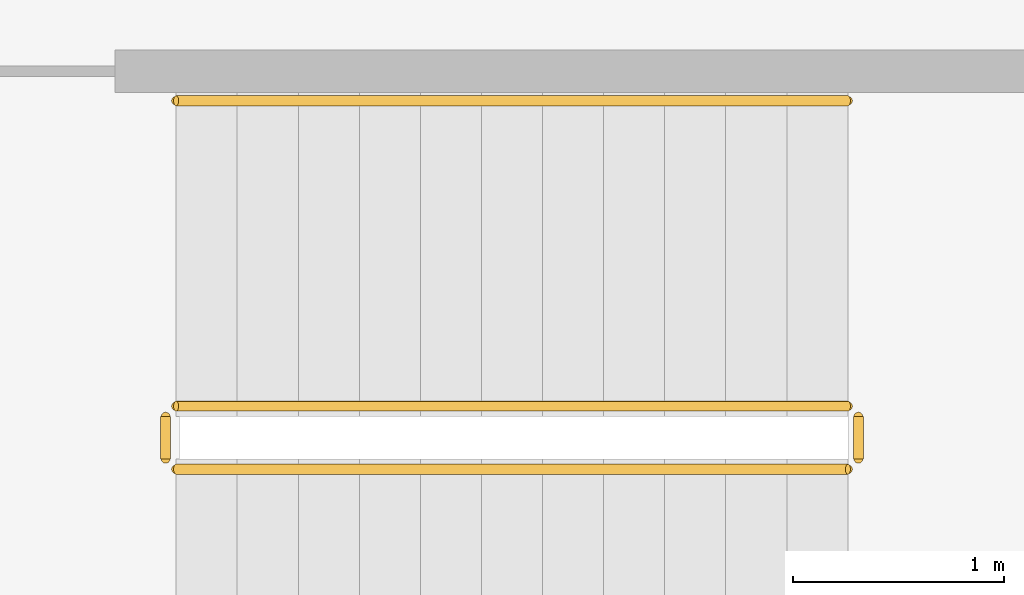
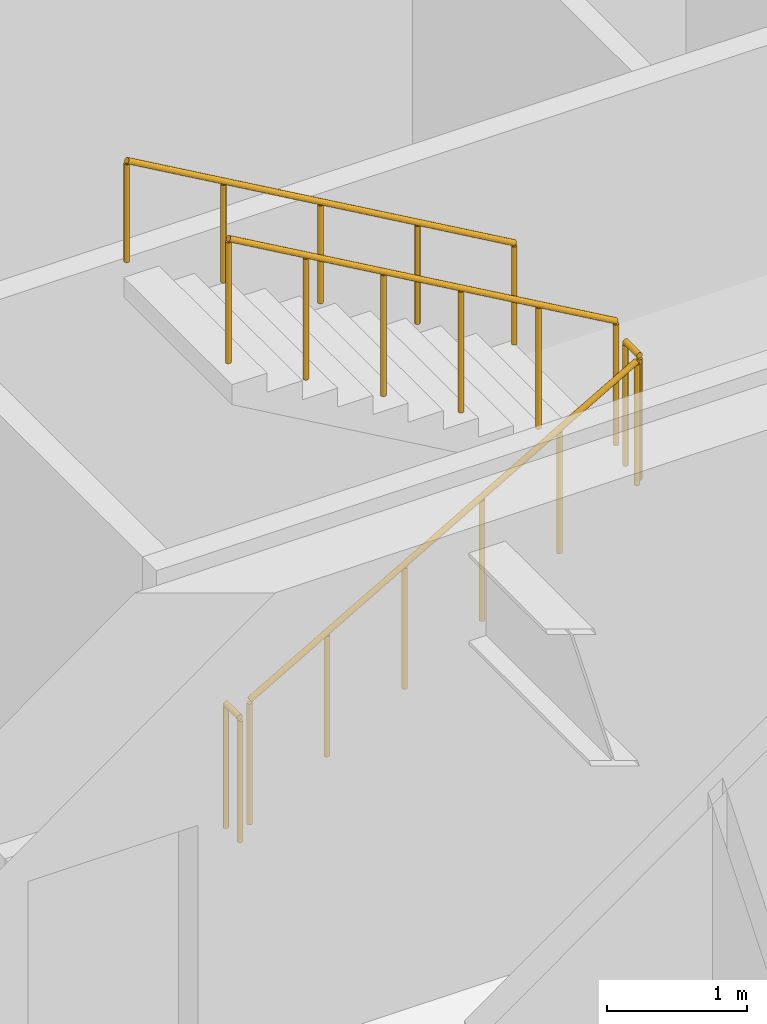
# One storey, part 19 of 20: 5 railings.
"""IFC4 building model written with IfcOpenShell, lengths in metres."""

from ifc_helpers import new_model, si_unit, direction, frame, origin, origin_2d, place, context, subcontext, project, spatial, circle, extrude, material, type_object, element, save


model = new_model("IFC4")

# Units and contexts
model_context = context("Model", 3, precision=1e-05, world=origin(), true_north=direction((0.0, 1.0)))
body_context = subcontext(model_context, "Body", "Model", "MODEL_VIEW")
ifc_project = project(units=[si_unit("LENGTHUNIT", "METRE"), si_unit("AREAUNIT", "SQUARE_METRE"), si_unit("VOLUMEUNIT", "CUBIC_METRE"), si_unit("PLANEANGLEUNIT", "RADIAN"), si_unit("MASSUNIT", "GRAM", prefix="KILO")], contexts=[model_context])

# Site, building, storey
site_placement = place(None, origin())
site = spatial("IfcSite", under=ifc_project, at=site_placement, CompositionType="ELEMENT")
building_placement = place(site_placement, origin())
building = spatial("IfcBuilding", under=site, at=building_placement, Name="Putna Gate Headquarters", CompositionType="ELEMENT")
storey_placement = place(building_placement, frame((0.0, 0.0, 294.39990234375)))
storey = spatial("IfcBuildingStorey", under=building, at=storey_placement, Name="L74", CompositionType="ELEMENT", Elevation=294.39990234375)

# Railings
ifc_material_1 = material(Name="Powder-coated steel stair guardrail", Category="steel")
railing_type_1 = type_object("IfcRailingType", Name="RAIL-STAIR-GUARD-1100", PredefinedType="GUARDRAIL", material=ifc_material_1)
railing_1_placement = place(storey_placement, frame((57.89990234375, 21.10009765625, 0.166748046875)))
element("IfcRailing", 1, at=railing_1_placement, inside=storey, type_object=railing_type_1, Name="L74 ST2 stair guard 1", PredefinedType="GUARDRAIL", context=body_context, shape_type="SweptSolid", body=[
    extrude(circle(Radius=0.02392578125, at=origin_2d()), frame((0.0, 0.0, 1.076171875), z_axis=(0.8670360191, 0.0, 0.498245463184), x_axis=(0.0, 1.0, 0.0)), (0.0, 0.0, 1.0), 3.679443359375),
    extrude(circle(Radius=0.02099609375, at=origin_2d()), origin(), (0.0, 0.0, 1.0), 1.052001953125),
    extrude(circle(Radius=0.02099609375, at=origin_2d()), frame((0.637939453125, 0.0, 0.36669921875)), (0.0, 0.0, 1.0), 1.052001953125),
    extrude(circle(Radius=0.02099609375, at=origin_2d()), frame((1.276123046875, 0.0, 0.7333984375)), (0.0, 0.0, 1.0), 1.052001953125),
    extrude(circle(Radius=0.02099609375, at=origin_2d()), frame((1.9140625, 0.0, 1.099853515625)), (0.0, 0.0, 1.0), 1.052001953125),
    extrude(circle(Radius=0.02099609375, at=origin_2d()), frame((2.55224609375, 0.0, 1.466552734375)), (0.0, 0.0, 1.0), 1.052001953125),
    extrude(circle(Radius=0.02099609375, at=origin_2d()), frame((3.190185546875, 0.0, 1.833251953125)), (0.0, 0.0, 1.0), 1.052001953125),
])
railing_2_placement = place(storey_placement, frame((61.139892578125, 21.14990234375, 2.0)))
element("IfcRailing", 2, at=railing_2_placement, inside=storey, type_object=railing_type_1, Name="L74 ST2 stair guard 2", PredefinedType="GUARDRAIL", context=body_context, shape_type="SweptSolid", body=[
    extrude(circle(Radius=0.02392578125, at=origin_2d()), frame((0.0, 0.0, 1.076171875), z_axis=(0.0, 1.0, 0.0), x_axis=(-1.0, 0.0, 0.0)), (0.0, 0.0, 1.0), 0.2001953125),
    extrude(circle(Radius=0.02099609375, at=origin_2d()), origin(), (0.0, 0.0, 1.0), 1.052001953125),
    extrude(circle(Radius=0.02099609375, at=origin_2d()), frame((0.0, 0.2001953125, 0.0)), (0.0, 0.0, 1.0), 1.052001953125),
])
railing_3_placement = place(storey_placement, frame((61.090087890625, 21.39990234375, 2.166748046875)))
element("IfcRailing", 3, at=railing_3_placement, inside=storey, type_object=railing_type_1, Name="L74 ST2 stair guard 3", PredefinedType="GUARDRAIL", context=body_context, shape_type="SweptSolid", body=[
    extrude(circle(Radius=0.02392578125, at=origin_2d()), frame((0.0, 0.0, 1.076171875), z_axis=(-0.8670360191, 0.0, 0.498245463184), x_axis=(0.0, -1.0, 0.0)), (0.0, 0.0, 1.0), 3.679443359375),
    extrude(circle(Radius=0.02099609375, at=origin_2d()), origin(), (0.0, 0.0, 1.0), 1.052001953125),
    extrude(circle(Radius=0.02099609375, at=origin_2d()), frame((-0.637939453125, 0.0, 0.36669921875)), (0.0, 0.0, 1.0), 1.052001953125),
    extrude(circle(Radius=0.02099609375, at=origin_2d()), frame((-1.276123046875, 0.0, 0.7333984375)), (0.0, 0.0, 1.0), 1.052001953125),
    extrude(circle(Radius=0.02099609375, at=origin_2d()), frame((-1.9140625, 0.0, 1.099853515625)), (0.0, 0.0, 1.0), 1.052001953125),
    extrude(circle(Radius=0.02099609375, at=origin_2d()), frame((-2.55224609375, 0.0, 1.466552734375)), (0.0, 0.0, 1.0), 1.052001953125),
    extrude(circle(Radius=0.02099609375, at=origin_2d()), frame((-3.190185546875, 0.0, 1.833251953125)), (0.0, 0.0, 1.0), 1.052001953125),
])
railing_4_placement = place(storey_placement, frame((57.85009765625, 21.14990234375, 0.0)))
element("IfcRailing", 4, at=railing_4_placement, inside=storey, type_object=railing_type_1, Name="L74 ST2 stair guard 4", PredefinedType="GUARDRAIL", context=body_context, shape_type="SweptSolid", body=[
    extrude(circle(Radius=0.02392578125, at=origin_2d()), frame((0.0, 0.0, 1.076171875), z_axis=(0.0, 1.0, 0.0), x_axis=(-1.0, 0.0, 0.0)), (0.0, 0.0, 1.0), 0.2001953125),
    extrude(circle(Radius=0.02099609375, at=origin_2d()), origin(), (0.0, 0.0, 1.0), 1.052001953125),
    extrude(circle(Radius=0.02099609375, at=origin_2d()), frame((0.0, 0.2001953125, 0.0)), (0.0, 0.0, 1.0), 1.052001953125),
])
ifc_material_2 = material(Name="Brushed stainless steel handrail", Category="steel")
railing_type_2 = type_object("IfcRailingType", Name="RAIL-STAIR-HAND-900", PredefinedType="HANDRAIL", material=ifc_material_2)
railing_5_placement = place(storey_placement, frame((61.090087890625, 22.85009765625, 2.166748046875)))
element("IfcRailing", 5, at=railing_5_placement, inside=storey, type_object=railing_type_2, Name="L74 ST2 stair handrail 2", PredefinedType="HANDRAIL", context=body_context, shape_type="SweptSolid", body=[
    extrude(circle(Radius=0.02392578125, at=origin_2d()), frame((0.0, 0.0, 0.8759765625), z_axis=(-0.8670360191, 0.0, 0.498245463184), x_axis=(0.0, -1.0, 0.0)), (0.0, 0.0, 1.0), 3.679443359375),
    extrude(circle(Radius=0.02099609375, at=origin_2d()), origin(), (0.0, 0.0, 1.0), 0.851806640625),
    extrude(circle(Radius=0.02099609375, at=origin_2d()), frame((-0.797607421875, 0.0, 0.458251953125)), (0.0, 0.0, 1.0), 0.851806640625),
    extrude(circle(Radius=0.02099609375, at=origin_2d()), frame((-1.59521484375, 0.0, 0.91650390625)), (0.0, 0.0, 1.0), 0.851806640625),
    extrude(circle(Radius=0.02099609375, at=origin_2d()), frame((-2.392578125, 0.0, 1.375)), (0.0, 0.0, 1.0), 0.851806640625),
    extrude(circle(Radius=0.02099609375, at=origin_2d()), frame((-3.190185546875, 0.0, 1.833251953125)), (0.0, 0.0, 1.0), 0.851806640625),
])

save(model, "model.ifc")
